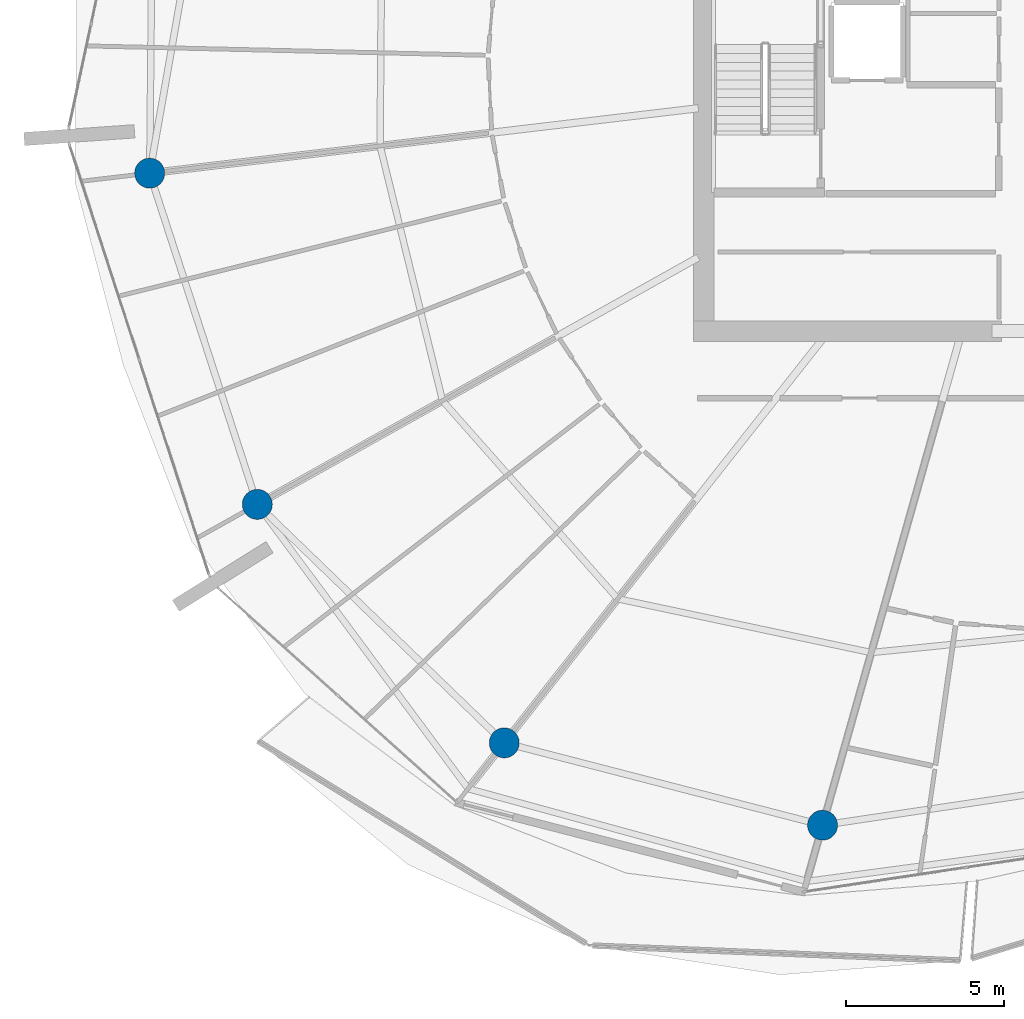
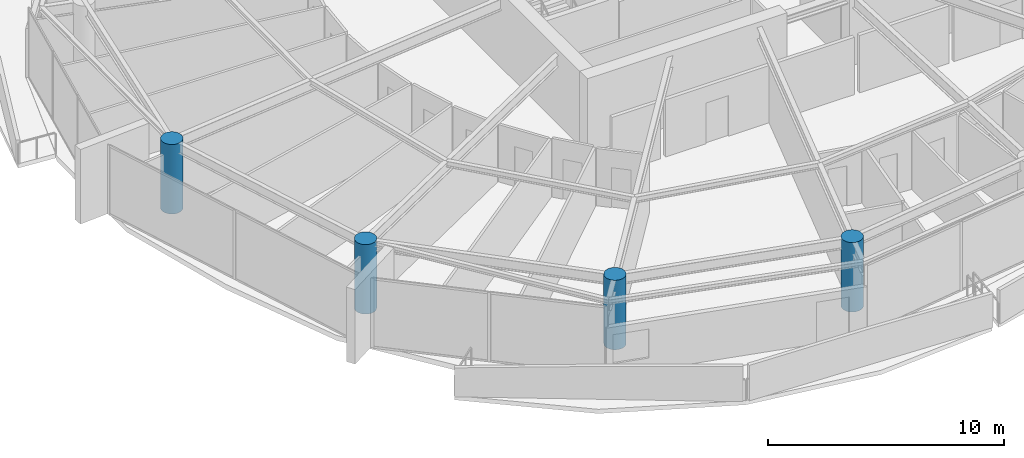
# One storey, part 1 of 31: 4 columns.
"""IFC4 building model written with IfcOpenShell, lengths in metres."""

from ifc_helpers import new_model, si_unit, direction, frame, origin, origin_2d, place, context, subcontext, project, spatial, circle, extrude, material, material_profile, profile_set, type_object, element, save


model = new_model("IFC4")

# Units and contexts
model_context = context("Model", 3, precision=1e-05, world=origin(), true_north=direction((0.0, 1.0)))
body_context = subcontext(model_context, "Body", "Model", "MODEL_VIEW")
ifc_project = project(units=[si_unit("LENGTHUNIT", "METRE"), si_unit("AREAUNIT", "SQUARE_METRE"), si_unit("VOLUMEUNIT", "CUBIC_METRE"), si_unit("PLANEANGLEUNIT", "RADIAN"), si_unit("MASSUNIT", "GRAM", prefix="KILO")], contexts=[model_context])

# Site, building, storey
site_placement = place(None, origin())
site = spatial("IfcSite", under=ifc_project, at=site_placement, CompositionType="ELEMENT")
building_placement = place(site_placement, origin())
building = spatial("IfcBuilding", under=site, at=building_placement, Name="Kazma Halo Residences", CompositionType="ELEMENT")
storey_placement = place(building_placement, frame((0.0, 0.0, 271.35009765625)))
storey = spatial("IfcBuildingStorey", under=building, at=storey_placement, Name="L68", CompositionType="ELEMENT", Elevation=271.35009765625)

# Columns
ifc_material = material(Name="Concrete C60/75", Category="concrete")
ifc_material_profile = material_profile(ifc_material, circle(Radius=0.47509765625, at=origin_2d()), Name="CIRC950")
ifc_profile_set = profile_set([ifc_material_profile], Name="Concrete C60/75")
column_type = type_object("IfcColumnType", Name="COL-PERIM-950", PredefinedType="COLUMN", material=ifc_profile_set)
for number, where, z_axis, x_axis, name in (
    (1, (19.92041015625, 38.676513671875, 0.0), (0.0, 0.0, 1.0), (1.0, 0.0, 0.0), "L68 perimeter ring column P08"),
    (2, (23.32958984375, 28.18408203125, 0.0), (0.0, 0.0, 1.0), (1.0, 0.0, 0.0), "L68 perimeter ring column P09"),
    (3, (31.15283203125, 20.62939453125, 0.0), (0.0, 0.0, 1.0), (1.0, 0.0, 0.0), "L68 perimeter ring column P10"),
    (4, (41.237060546875, 18.0205078125, 0.0), (0.0, 0.0, 1.0), (1.0, 0.0, 0.0), "L68 perimeter ring column P11"),
):
    element("IfcColumn", number, at=place(storey_placement, frame(where, z_axis=z_axis, x_axis=x_axis)), inside=storey, type_object=column_type, Name=name, PredefinedType="COLUMN", context=body_context, shape_type="SweptSolid", body=[
        extrude(circle(Radius=0.47509765625, at=origin_2d()), origin(), (0.0, 0.0, 1.0), 3.58984375),
    ])

save(model, "model.ifc")
